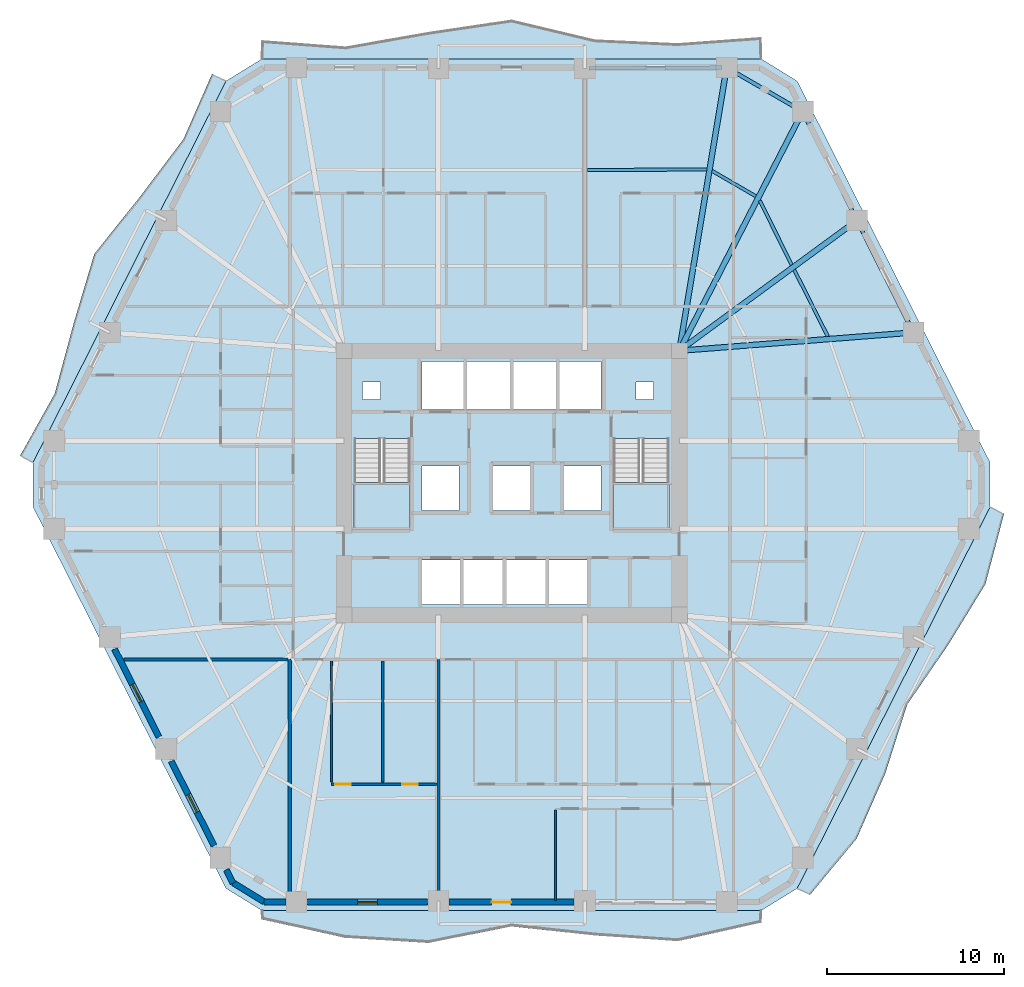
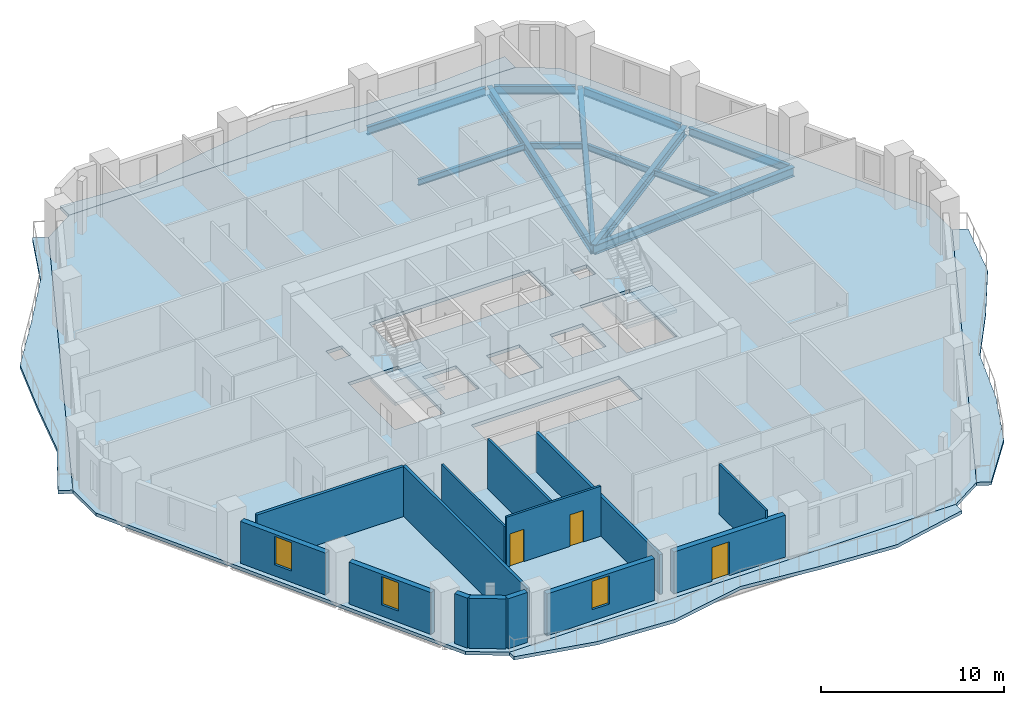
# One storey, part 3 of 12: 14 walls, 12 beams, 7 slabs, 3 doors, 3 windows, 6 openings, 2 elements without a shape of their own.
"""IFC4 building model written with IfcOpenShell, lengths in metres."""

import ifcopenshell
import ifcopenshell.guid

model = None  # the IFC model being written
_history = None  # IfcOwnerHistory: only IFC2X3 demands one
_inside = {}  # id of a spatial element -> (the spatial element, [elements in it])
_under = {}  # id of a project, library or spatial element -> (it, [spatial elements below it])
_declared = {}  # id of a project -> (the project, [libraries it declares])
_typed = {}  # id of a type object -> (the type object, [elements of that type])
_made_of = {}  # id of a material, layer set ... -> (it, [elements and type objects made of it])


def new_model(schema):
    """Start an empty IFC model of exactly this schema.

    Asked for "IFC4X3", IfcOpenShell would pick the latest addendum, in which some entities
    have other attributes; the version numbers below select the first issue.
    IFC2X3 requires an IfcOwnerHistory on every rooted entity: one is made here for all.
    """
    global model, _history
    if schema == "IFC4X3":
        model = ifcopenshell.file(schema_version=(4, 3, 0, 0))
    else:
        model = ifcopenshell.file(schema=schema)
    _inside.clear()
    _under.clear()
    _declared.clear()
    _typed.clear()
    _made_of.clear()
    _history = None
    if model.schema == "IFC2X3":
        org = make("IfcOrganization", Name="unknown")
        user = make(
            "IfcPersonAndOrganization",
            ThePerson=make("IfcPerson", FamilyName="unknown"),
            TheOrganization=org,
        )
        app = make(
            "IfcApplication",
            ApplicationDeveloper=org,
            Version="unknown",
            ApplicationFullName="unknown",
            ApplicationIdentifier="unknown",
        )
        _history = make(
            "IfcOwnerHistory",
            OwningUser=user,
            OwningApplication=app,
            ChangeAction="ADDED",
            CreationDate=0,
        )
    return model


def make(cls, **values):
    """One entity of the class cls with the attributes given. An attribute that is None is left unset."""
    return model.create_entity(
        cls, **{name: value for name, value in values.items() if value is not None}
    )


def rooted(cls, **values):
    """An entity with a GlobalId (a new one), such as an element, a storey or a relation."""
    return make(cls, GlobalId=ifcopenshell.guid.new(), OwnerHistory=_history, **values)


def si_unit(unit_type, name, prefix=None):
    """IfcSIUnit, for example si_unit("LENGTHUNIT", "METRE", prefix="MILLI")."""
    return make("IfcSIUnit", UnitType=unit_type, Prefix=prefix, Name=name)


def assignment(units):
    """IfcUnitAssignment: the units of a project."""
    return None if units is None else make("IfcUnitAssignment", Units=units)


def point(xyz):
    """IfcCartesianPoint."""
    return None if xyz is None else make("IfcCartesianPoint", Coordinates=xyz)


def direction(xyz):
    """IfcDirection."""
    return None if xyz is None else make("IfcDirection", DirectionRatios=xyz)


def frame(location, z_axis=None, x_axis=None):
    """IfcAxis2Placement3D, a coordinate frame: its origin and axes. An axis left out is left unset."""
    return make(
        "IfcAxis2Placement3D",
        Location=point(location),
        Axis=direction(z_axis),
        RefDirection=direction(x_axis),
    )


def frame_2d(location, x_axis=None):
    """IfcAxis2Placement2D, a coordinate frame in the plane: its origin and x axis."""
    return make(
        "IfcAxis2Placement2D", Location=point(location), RefDirection=direction(x_axis)
    )


def origin():
    """The frame at (0, 0, 0) with its axes left unset."""
    return frame((0.0, 0.0, 0.0))


def origin_2d():
    """The frame at (0, 0) in the plane with its x axis left unset."""
    return frame_2d((0.0, 0.0))


def place(relative_to, where):
    """IfcLocalPlacement: puts the frame where relative to a parent placement (None: the world)."""
    return make(
        "IfcLocalPlacement", PlacementRelTo=relative_to, RelativePlacement=where
    )


def context(
    kind, dimensions, precision=None, world=None, true_north=None, identifier=None
):
    """IfcGeometricRepresentationContext, for example the 3D "Model" context."""
    return make(
        "IfcGeometricRepresentationContext",
        ContextIdentifier=identifier,
        ContextType=kind,
        CoordinateSpaceDimension=dimensions,
        Precision=precision,
        WorldCoordinateSystem=world,
        TrueNorth=true_north,
    )


def subcontext(parent, identifier, kind, view, scale=None):
    """IfcGeometricRepresentationSubContext, for example "Body" below "Model"."""
    return make(
        "IfcGeometricRepresentationSubContext",
        ContextIdentifier=identifier,
        ContextType=kind,
        ParentContext=parent,
        TargetScale=scale,
        TargetView=view,
    )


def project(units=None, contexts=None):
    """IfcProject with its units and contexts."""
    return rooted(
        "IfcProject",
        Name="project",
        RepresentationContexts=contexts,
        UnitsInContext=assignment(units),
    )


def spatial(cls, under=None, at=None, **own):
    """A site, building, storey or space (cls), placed at a placement, below another one or the project."""
    s = rooted(cls, ObjectPlacement=at, **own)
    if under is not None:
        _under.setdefault(under.id(), (under, []))[1].append(s)
    return s


def polyline(points):
    """IfcPolyline through the points."""
    return make("IfcPolyline", Points=[point(p) for p in points])


def profile(cls, at=None, kind="AREA", **sizes):
    """A parametric profile (cls). Its sizes go by their IFC names, for example OverallWidth=200.0."""
    return make(cls, ProfileType=kind, Position=at, **sizes)


def rectangle(**sizes):
    """IfcRectangleProfileDef."""
    return profile("IfcRectangleProfileDef", **sizes)


def i_section(**sizes):
    """IfcIShapeProfileDef."""
    return profile("IfcIShapeProfileDef", **sizes)


def outline(outer, holes=None, kind="AREA"):
    """IfcArbitraryClosedProfileDef: a profile drawn as a closed curve; with holes, ...WithVoids."""
    if holes is None:
        return make("IfcArbitraryClosedProfileDef", ProfileType=kind, OuterCurve=outer)
    return make(
        "IfcArbitraryProfileDefWithVoids",
        ProfileType=kind,
        OuterCurve=outer,
        InnerCurves=holes,
    )


def extrude(swept, where, along, depth):
    """IfcExtrudedAreaSolid: the profile swept, set in the frame where, extruded along a direction by depth."""
    return make(
        "IfcExtrudedAreaSolid",
        SweptArea=swept,
        Position=where,
        ExtrudedDirection=direction(along),
        Depth=depth,
    )


def shape(context_of_items, identifier, shape_type, items):
    """IfcShapeRepresentation: the items that make up one representation, for example the "Body"."""
    return make(
        "IfcShapeRepresentation",
        ContextOfItems=context_of_items,
        RepresentationIdentifier=identifier,
        RepresentationType=shape_type,
        Items=items,
    )


def material(Name=None, Category=None):
    """IfcMaterial."""
    return make("IfcMaterial", Name=Name, Category=Category)


def layer(
    of_material, thickness, ventilated=None, Name=None, Category=None, Priority=None
):
    """IfcMaterialLayer: one layer of a wall or slab, of a material (None: an air gap)."""
    return make(
        "IfcMaterialLayer",
        Material=of_material,
        LayerThickness=thickness,
        IsVentilated=ventilated,
        Name=Name,
        Category=Category,
        Priority=Priority,
    )


def layer_set(layers, Name=None):
    """IfcMaterialLayerSet."""
    return make("IfcMaterialLayerSet", MaterialLayers=layers, LayerSetName=Name)


def material_profile(
    of_material, cross_section, Name=None, Category=None, Priority=None
):
    """IfcMaterialProfile: a cross section and its material."""
    return make(
        "IfcMaterialProfile",
        Name=Name,
        Material=of_material,
        Profile=cross_section,
        Priority=Priority,
        Category=Category,
    )


def profile_set(profiles, Name=None, composite=None):
    """IfcMaterialProfileSet."""
    return make(
        "IfcMaterialProfileSet",
        Name=Name,
        MaterialProfiles=profiles,
        CompositeProfile=composite,
    )


def made_of(thing, what):
    """Note that an element or type object is made of a material, layer set ...; save() writes the relation."""
    if what is not None:
        _made_of.setdefault(what.id(), (what, []))[1].append(thing)
    return thing


def type_object(cls, material=None, **own):
    """A type object (cls), such as IfcWallType, which elements share."""
    return made_of(rooted(cls, **own), material)


def element(
    cls,
    number,
    at=None,
    inside=None,
    cuts=None,
    type_object=None,
    material=None,
    context=None,
    identifier="Body",
    shape_type=None,
    held_by="IfcProductDefinitionShape",
    body=None,
    shapes=None,
    **own,
):
    """One element of the class cls, such as IfcWall. Its Tag is "e" and its number.

    at: its placement. inside: the storey or other place that contains it. cuts: it is an
    opening in that element (IfcRelVoidsElement). A single representation is given by context,
    identifier, shape_type and body (its items); several are given by shapes. held_by: the class
    of the entity that holds the representations. save() writes the other relations.
    """
    e = rooted(cls, Tag="e%d" % number, ObjectPlacement=at, **own)
    if body is not None:
        shapes = [shape(context, identifier, shape_type, body)]
    if shapes is not None:
        e.Representation = make(held_by, Representations=shapes)
    if inside is not None:
        _inside.setdefault(inside.id(), (inside, []))[1].append(e)
    if cuts is not None:
        rooted(
            "IfcRelVoidsElement", RelatingBuildingElement=cuts, RelatedOpeningElement=e
        )
    if type_object is not None:
        _typed.setdefault(type_object.id(), (type_object, []))[1].append(e)
    return made_of(e, material)


def fill(opening, filler):
    """IfcRelFillsElement: the door or window that sits in an opening."""
    return rooted(
        "IfcRelFillsElement",
        RelatingOpeningElement=opening,
        RelatedBuildingElement=filler,
    )


def aggregate(whole, parts):
    """IfcRelAggregates: a whole, such as a stair, and the parts it consists of."""
    return rooted("IfcRelAggregates", RelatingObject=whole, RelatedObjects=parts)


def save(model, path):
    """Write the relations noted so far, then the file.

    IfcRelAggregates (storeys below a building ...), IfcRelContainedInSpatialStructure (elements
    in a storey), IfcRelDefinesByType, IfcRelAssociatesMaterial and IfcRelDeclares: one each for
    every whole, place, type object, material and project.
    """
    for whole, parts in _under.values():
        aggregate(whole, parts)
    for where, things in _inside.values():
        rooted(
            "IfcRelContainedInSpatialStructure",
            RelatedElements=things,
            RelatingStructure=where,
        )
    for kind, things in _typed.values():
        rooted("IfcRelDefinesByType", RelatedObjects=things, RelatingType=kind)
    for what, things in _made_of.values():
        rooted("IfcRelAssociatesMaterial", RelatedObjects=things, RelatingMaterial=what)
    for by, libraries in _declared.values():
        rooted("IfcRelDeclares", RelatingContext=by, RelatedDefinitions=libraries)
    model.write(path)


model = new_model("IFC4")

# Units and contexts
model_context = context("Model", 3, precision=1e-05, world=origin(), true_north=direction((0.0, 1.0)))
body_context = subcontext(model_context, "Body", "Model", "MODEL_VIEW")
ifc_project = project(units=[si_unit("LENGTHUNIT", "METRE"), si_unit("AREAUNIT", "SQUARE_METRE"), si_unit("VOLUMEUNIT", "CUBIC_METRE"), si_unit("PLANEANGLEUNIT", "RADIAN"), si_unit("MASSUNIT", "GRAM", prefix="KILO")], contexts=[model_context])

# Site, building, storey
site_placement = place(None, origin())
site = spatial("IfcSite", under=ifc_project, at=site_placement, CompositionType="ELEMENT")
building_placement = place(site_placement, origin())
building = spatial("IfcBuilding", under=site, at=building_placement, Name="Cinnabar Lancet Tower", CompositionType="ELEMENT")
storey_placement = place(building_placement, frame((0.0, 0.0, 32.0)))
storey = spatial("IfcBuildingStorey", under=building, at=storey_placement, Name="L07", CompositionType="ELEMENT", Elevation=32.0)

# Beams
ifc_material_1 = material(Name="Structural steel S355", Category="steel")
ifc_material_profile_1 = material_profile(ifc_material_1, i_section(OverallWidth=0.177978515625, OverallDepth=0.406494140625, WebThickness=0.0078125, FlangeThickness=0.0126953125, FilletRadius=0.01025390625, at=origin_2d()), Name="UKB 406x178x60")
ifc_profile_set_1 = profile_set([ifc_material_profile_1], Name="Structural steel S355")
beam_type_1 = type_object("IfcBeamType", Name="STR-BM-JST-406", PredefinedType="JOIST", material=ifc_profile_set_1)
beam_1_placement = place(storey_placement, frame((50.220947265625, 34.156982421875, -0.423095703125), z_axis=(-0.450834254961, 0.89260768233, 0.0), x_axis=(-0.89260768233, -0.450834254961, 0.0)))
element("IfcBeam", 1, at=beam_1_placement, inside=storey, type_object=beam_type_1, Name="L07 Secondary Floor Joist 27", PredefinedType="JOIST", context=body_context, shape_type="SweptSolid", body=[
    extrude(i_section(OverallWidth=0.177978515625, OverallDepth=0.406494140625, WebThickness=0.0078125, FlangeThickness=0.0126953125, FilletRadius=0.01025390625, at=origin_2d()), origin(), (0.0, 0.0, 1.0), 4.203369140625),
])
beam_2_placement = place(storey_placement, frame((48.18603515625, 38.18798828125, -0.423095703125), z_axis=(-0.445738672706, 0.895163133543, 0.0), x_axis=(-0.895163133543, -0.445738672706, 0.0)))
element("IfcBeam", 2, at=beam_2_placement, inside=storey, type_object=beam_type_1, Name="L07 Secondary Floor Joist 29", PredefinedType="JOIST", context=body_context, shape_type="SweptSolid", body=[
    extrude(i_section(OverallWidth=0.177978515625, OverallDepth=0.406494140625, WebThickness=0.0078125, FlangeThickness=0.0126953125, FilletRadius=0.01025390625, at=origin_2d()), origin(), (0.0, 0.0, 1.0), 4.04052734375),
])
beam_3_placement = place(storey_placement, frame((46.1669921875, 42.052001953125, -0.423095703125), z_axis=(-0.865113631149, 0.50157592167, 0.0), x_axis=(-0.50157592167, -0.865113631149, 0.0)))
element("IfcBeam", 3, at=beam_3_placement, inside=storey, type_object=beam_type_1, Name="L07 Secondary Floor Joist 31", PredefinedType="JOIST", context=body_context, shape_type="SweptSolid", body=[
    extrude(i_section(OverallWidth=0.177978515625, OverallDepth=0.406494140625, WebThickness=0.0078125, FlangeThickness=0.0126953125, FilletRadius=0.01025390625, at=origin_2d()), origin(), (0.0, 0.0, 1.0), 2.852783203125),
])
beam_4_placement = place(storey_placement, frame((43.40087890625, 43.56396484375, -0.423095703125), z_axis=(-0.999988691118, -0.004755800274, 0.0), x_axis=(0.004755800274, -0.999988691118, 0.0)))
element("IfcBeam", 4, at=beam_4_placement, inside=storey, type_object=beam_type_1, Name="L07 Secondary Floor Joist 33", PredefinedType="JOIST", context=body_context, shape_type="SweptSolid", body=[
    extrude(i_section(OverallWidth=0.177978515625, OverallDepth=0.406494140625, WebThickness=0.0078125, FlangeThickness=0.0126953125, FilletRadius=0.01025390625, at=origin_2d()), origin(), (0.0, 0.0, 1.0), 6.724853515625),
])
ifc_material_2 = material(Name="Structural steel S355", Category="steel")
ifc_material_profile_2 = material_profile(ifc_material_2, i_section(OverallWidth=0.209228515625, OverallDepth=0.533203125, WebThickness=0.010009765625, FlangeThickness=0.015625, FilletRadius=0.0126953125, at=origin_2d()), Name="UKB 533x210x92")
ifc_profile_set_2 = profile_set([ifc_material_profile_2], Name="Structural steel S355")
beam_type_2 = type_object("IfcBeamType", Name="STR-BM-SPN-533", PredefinedType="SPANDREL", material=ifc_profile_set_2)
beam_5_placement = place(storey_placement, frame((54.93310546875, 34.60302734375, -0.487060546875), z_axis=(-0.450703143926, 0.892673891214, 0.0), x_axis=(-0.892673891214, -0.450703143926, 0.0)))
element("IfcBeam", 5, at=beam_5_placement, inside=storey, type_object=beam_type_2, Name="L07 Perimeter Spandrel 10", PredefinedType="SPANDREL", context=body_context, shape_type="SweptSolid", body=[
    extrude(i_section(OverallWidth=0.209228515625, OverallDepth=0.533203125, WebThickness=0.010009765625, FlangeThickness=0.015625, FilletRadius=0.0126953125, at=origin_2d()), origin(), (0.0, 0.0, 1.0), 6.570068359375),
])
beam_6_placement = place(storey_placement, frame((51.748046875, 40.9150390625, -0.487060546875), z_axis=(-0.445953050023, 0.89505635419, 0.0), x_axis=(-0.89505635419, -0.445953050023, 0.0)))
element("IfcBeam", 6, at=beam_6_placement, inside=storey, type_object=beam_type_2, Name="L07 Perimeter Spandrel 11", PredefinedType="SPANDREL", context=body_context, shape_type="SweptSolid", body=[
    extrude(i_section(OverallWidth=0.209228515625, OverallDepth=0.533203125, WebThickness=0.010009765625, FlangeThickness=0.015625, FilletRadius=0.0126953125, at=origin_2d()), origin(), (0.0, 0.0, 1.0), 6.35498046875),
])
beam_7_placement = place(storey_placement, frame((48.5869140625, 46.951904296875, -0.487060546875), z_axis=(-0.865147238596, 0.501517951374, 0.0), x_axis=(-0.501517951374, -0.865147238596, 0.0)))
element("IfcBeam", 7, at=beam_7_placement, inside=storey, type_object=beam_type_2, Name="L07 Perimeter Spandrel 12", PredefinedType="SPANDREL", context=body_context, shape_type="SweptSolid", body=[
    extrude(i_section(OverallWidth=0.209228515625, OverallDepth=0.533203125, WebThickness=0.010009765625, FlangeThickness=0.015625, FilletRadius=0.0126953125, at=origin_2d()), origin(), (0.0, 0.0, 1.0), 4.454833984375),
])
beam_8_placement = place(storey_placement, frame((44.26708984375, 49.30908203125, -0.487060546875), z_axis=(-0.99997856757, -0.006547090947, 0.0), x_axis=(0.006547090947, -0.99997856757, 0.0)))
element("IfcBeam", 8, at=beam_8_placement, inside=storey, type_object=beam_type_2, Name="L07 Perimeter Spandrel 13", PredefinedType="SPANDREL", context=body_context, shape_type="SweptSolid", body=[
    extrude(i_section(OverallWidth=0.209228515625, OverallDepth=0.533203125, WebThickness=0.010009765625, FlangeThickness=0.015625, FilletRadius=0.0126953125, at=origin_2d()), origin(), (0.0, 0.0, 1.0), 7.495361328125),
])
ifc_material_3 = material(Name="Structural steel S355", Category="steel")
ifc_material_profile_3 = material_profile(ifc_material_3, i_section(OverallWidth=0.30712890625, OverallDepth=0.6201171875, WebThickness=0.01416015625, FlangeThickness=0.023681640625, FilletRadius=0.0166015625, at=origin_2d()), Name="UKB 610x305x179")
ifc_profile_set_3 = profile_set([ifc_material_profile_3], Name="Structural steel S355")
beam_type_3 = type_object("IfcBeamType", Name="STR-BM-UKB610-179", PredefinedType="BEAM", material=ifc_profile_set_3)
beam_9_placement = place(storey_placement, frame((51.85888671875, 40.69091796875, -0.530029296875), z_axis=(-0.80636497312, -0.591418236213, 0.0), x_axis=(0.591418236213, -0.80636497312, 0.0)))
element("IfcBeam", 9, at=beam_9_placement, inside=storey, type_object=beam_type_3, Name="L07 Corner Collector Girder 3", PredefinedType="BEAM", context=body_context, shape_type="SweptSolid", body=[
    extrude(i_section(OverallWidth=0.30712890625, OverallDepth=0.6201171875, WebThickness=0.01416015625, FlangeThickness=0.023681640625, FilletRadius=0.0166015625, at=origin_2d()), origin(), (0.0, 0.0, 1.0), 12.412353515625),
])
beam_10_placement = place(storey_placement, frame((55.0458984375, 34.3798828125, -0.530029296875), z_axis=(-0.99696880683, -0.077802302076, 0.0), x_axis=(0.077802302076, -0.99696880683, 0.0)))
element("IfcBeam", 10, at=beam_10_placement, inside=storey, type_object=beam_type_3, Name="L07 Primary Floor Girder 10", PredefinedType="BEAM", context=body_context, shape_type="SweptSolid", body=[
    extrude(i_section(OverallWidth=0.30712890625, OverallDepth=0.6201171875, WebThickness=0.01416015625, FlangeThickness=0.023681640625, FilletRadius=0.0166015625, at=origin_2d()), origin(), (0.0, 0.0, 1.0), 13.23583984375),
])
beam_11_placement = place(storey_placement, frame((48.802978515625, 46.826904296875, -0.530029296875), z_axis=(-0.458492410387, -0.888698323177, 0.0), x_axis=(0.888698323177, -0.458492410387, 0.0)))
element("IfcBeam", 11, at=beam_11_placement, inside=storey, type_object=beam_type_3, Name="L07 Primary Floor Girder 12", PredefinedType="BEAM", context=body_context, shape_type="SweptSolid", body=[
    extrude(i_section(OverallWidth=0.30712890625, OverallDepth=0.6201171875, WebThickness=0.01416015625, FlangeThickness=0.023681640625, FilletRadius=0.0166015625, at=origin_2d()), origin(), (0.0, 0.0, 1.0), 15.16455078125),
])
beam_12_placement = place(storey_placement, frame((44.51708984375, 49.31103515625, -0.530029296875), z_axis=(-0.164809990854, -0.986325335229, 0.0), x_axis=(0.986325335229, -0.164809990854, 0.0)))
element("IfcBeam", 12, at=beam_12_placement, inside=storey, type_object=beam_type_3, Name="L07 Primary Floor Girder 13", PredefinedType="BEAM", context=body_context, shape_type="SweptSolid", body=[
    extrude(i_section(OverallWidth=0.30712890625, OverallDepth=0.6201171875, WebThickness=0.01416015625, FlangeThickness=0.023681640625, FilletRadius=0.0166015625, at=origin_2d()), origin(), (0.0, 0.0, 1.0), 16.18212890625),
])

# Stair, slab
ifc_material_4 = material(Name="Concrete C40/50", Category="concrete")
stair_type = type_object("IfcStairType", Name="ST-CORE", PredefinedType="HALF_TURN_STAIR", material=ifc_material_4)
stair_1_placement = place(storey_placement, origin())
stair_1 = element("IfcStair", 13, at=stair_1_placement, inside=storey, type_object=stair_type, Name="L07 ST-1", PredefinedType="HALF_TURN_STAIR")
ifc_material_5 = material(Name="Concrete C40/50", Category="concrete")
ifc_layer_1 = layer(ifc_material_5, 0.199951171875)
ifc_layer_set_1 = layer_set([ifc_layer_1], Name="Concrete C40/50")
slab_type_1 = type_object("IfcSlabType", Name="LANDING-CORE", PredefinedType="LANDING", material=ifc_layer_set_1)
slab_1_placement = place(storey_placement, frame((0.0, 0.0, 1.574951171875)))
slab_1 = element("IfcSlab", 14, at=slab_1_placement, type_object=slab_type_1, Name="ST-1 landing 1", PredefinedType="LANDING", context=body_context, shape_type="SweptSolid", body=[
    extrude(outline(polyline([(23.52490234375, 25.925048828125), (23.52490234375, 23.25), (26.675048828125, 23.25), (26.675048828125, 25.925048828125), (23.52490234375, 25.925048828125)])), origin(), (0.0, 0.0, 1.0), 0.199951171875),
])
aggregate(stair_1, [slab_1])

stair_2_placement = place(storey_placement, origin())
stair_2 = element("IfcStair", 15, at=stair_2_placement, inside=storey, type_object=stair_type, Name="L07 ST-2", PredefinedType="HALF_TURN_STAIR")
slab_2_placement = place(storey_placement, frame((0.0, 0.0, 1.574951171875)))
slab_2 = element("IfcSlab", 16, at=slab_2_placement, type_object=slab_type_1, Name="ST-2 landing 1", PredefinedType="LANDING", context=body_context, shape_type="SweptSolid", body=[
    extrude(outline(polyline([(38.125, 25.925048828125), (38.125, 23.25), (41.27490234375, 23.25), (41.27490234375, 25.925048828125), (38.125, 25.925048828125)])), origin(), (0.0, 0.0, 1.0), 0.199951171875),
])
aggregate(stair_2, [slab_2])

# Slabs
ifc_material_6 = material(Name="Concrete C40/50", Category="concrete")
ifc_layer_2 = layer(ifc_material_6, 0.219970703125)
ifc_layer_set_2 = layer_set([ifc_layer_2], Name="Concrete C40/50")
slab_type_2 = type_object("IfcSlabType", Name="STR-SLB-FLR-220", PredefinedType="FLOOR", material=ifc_layer_set_2)
slab_3_placement = place(storey_placement, frame((0.0, 0.0, -0.219970703125)))
element("IfcSlab", 17, at=slab_3_placement, inside=storey, type_object=slab_type_2, Name="L07 Structural Floor Slab", PredefinedType="FLOOR", context=body_context, shape_type="SweptSolid", body=[
    extrude(outline(polyline([(16.31201171875, 3.049072265625), (18.343994140625, 1.800048828125), (46.4560546875, 1.800048828125), (48.488037109375, 3.049072265625), (59.367919921875, 24.551025390625), (59.367919921875, 27.049072265625), (48.488037109375, 48.551025390625), (46.4560546875, 49.800048828125), (18.343994140625, 49.800048828125), (16.31201171875, 48.551025390625), (5.431884765625, 27.049072265625), (5.431884765625, 24.551025390625), (16.31201171875, 3.049072265625)]), holes=[polyline([(23.52490234375, 23.25), (26.675048828125, 23.25), (26.675048828125, 28.3994140625), (23.52490234375, 28.3994140625), (23.52490234375, 23.25)]), polyline([(38.125, 23.25), (41.27490234375, 23.25), (41.27490234375, 28.3994140625), (38.125, 28.3994140625), (38.125, 23.25)]), polyline([(27.35009765625, 30.050048828125), (37.449951171875, 30.050048828125), (37.449951171875, 32.75), (27.35009765625, 32.75), (27.35009765625, 30.050048828125)]), polyline([(27.35009765625, 19.050048828125), (36.64990234375, 19.050048828125), (36.64990234375, 21.550048828125), (27.35009765625, 21.550048828125), (27.35009765625, 19.050048828125)]), polyline([(27.35009765625, 24.35009765625), (29.449951171875, 24.35009765625), (29.449951171875, 26.85009765625), (27.35009765625, 26.85009765625), (27.35009765625, 24.35009765625)]), polyline([(35.35009765625, 24.35009765625), (37.449951171875, 24.35009765625), (37.449951171875, 26.85009765625), (35.35009765625, 26.85009765625), (35.35009765625, 24.35009765625)]), polyline([(31.35009765625, 24.35009765625), (33.449951171875, 24.35009765625), (33.449951171875, 26.85009765625), (31.35009765625, 26.85009765625), (31.35009765625, 24.35009765625)]), polyline([(24.0, 30.60009765625), (25.0, 30.60009765625), (25.0, 31.60009765625), (24.0, 31.60009765625), (24.0, 30.60009765625)]), polyline([(39.39990234375, 30.60009765625), (40.39990234375, 30.60009765625), (40.39990234375, 31.60009765625), (39.39990234375, 31.60009765625), (39.39990234375, 30.60009765625)])]), origin(), (0.0, 0.0, 1.0), 0.219970703125),
])
ifc_material_7 = material(Name="Concrete C45/55", Category="concrete")
ifc_layer_3 = layer(ifc_material_7, 0.219970703125)
ifc_layer_set_3 = layer_set([ifc_layer_3], Name="Concrete C45/55")
slab_type_3 = type_object("IfcSlabType", Name="STR-SLB-WAV-220", PredefinedType="FLOOR", material=ifc_layer_set_3)
slab_4_placement = place(storey_placement, frame((0.0, 0.0, -0.219970703125)))
element("IfcSlab", 18, at=slab_4_placement, inside=storey, type_object=slab_type_3, Name="L07 Face 1 Undulating Wave Balcony Slab", PredefinedType="FLOOR", context=body_context, shape_type="SweptSolid", body=[
    extrude(outline(polyline([(18.343994140625, 1.800048828125), (18.343994140625, 1.300048828125), (23.029052734375, 0.26904296875), (27.715087890625, -0.01904296875), (32.39990234375, 0.909912109375), (37.0849609375, 0.403076171875), (41.77099609375, 0.083984375), (46.4560546875, 1.123046875), (46.4560546875, 1.800048828125), (18.343994140625, 1.800048828125)])), origin(), (0.0, 0.0, 1.0), 0.219970703125),
])
slab_5_placement = place(storey_placement, frame((0.0, 0.0, -0.219970703125)))
element("IfcSlab", 19, at=slab_5_placement, inside=storey, type_object=slab_type_3, Name="L07 Face 2 Undulating Wave Balcony Slab", PredefinedType="FLOOR", context=body_context, shape_type="SweptSolid", body=[
    extrude(outline(polyline([(48.488037109375, 3.049072265625), (49.2080078125, 2.68505859375), (51.839111328125, 5.85400390625), (53.4580078125, 9.537109375), (54.68896484375, 13.4150390625), (56.986083984375, 16.75390625), (59.093994140625, 20.18896484375), (60.14599609375, 24.157958984375), (59.367919921875, 24.551025390625), (48.488037109375, 3.049072265625)])), origin(), (0.0, 0.0, 1.0), 0.219970703125),
])
slab_6_placement = place(storey_placement, frame((0.0, 0.0, -0.219970703125)))
element("IfcSlab", 20, at=slab_6_placement, inside=storey, type_object=slab_type_3, Name="L07 Face 4 Undulating Wave Balcony Slab", PredefinedType="FLOOR", context=body_context, shape_type="SweptSolid", body=[
    extrude(outline(polyline([(46.4560546875, 49.800048828125), (46.4560546875, 50.991943359375), (41.77099609375, 50.654052734375), (37.0849609375, 50.873046875), (32.39990234375, 51.987060546875), (27.715087890625, 51.294921875), (23.029052734375, 50.468994140625), (18.343994140625, 50.81494140625), (18.343994140625, 49.800048828125), (46.4560546875, 49.800048828125)])), origin(), (0.0, 0.0, 1.0), 0.219970703125),
])
slab_7_placement = place(storey_placement, frame((0.0, 0.0, -0.219970703125)))
element("IfcSlab", 21, at=slab_7_placement, inside=storey, type_object=slab_type_3, Name="L07 Face 5 Undulating Wave Balcony Slab", PredefinedType="FLOOR", context=body_context, shape_type="SweptSolid", body=[
    extrude(outline(polyline([(16.31201171875, 48.551025390625), (15.52197265625, 48.950927734375), (13.908935546875, 45.26611328125), (11.447998046875, 42.010009765625), (8.886962890625, 38.804931640625), (7.722900390625, 34.89208984375), (6.656005859375, 30.930908203125), (4.698974609375, 27.419921875), (5.431884765625, 27.049072265625), (16.31201171875, 48.551025390625)])), origin(), (0.0, 0.0, 1.0), 0.219970703125),
])

# Walls
ifc_material_8 = material(Name="Fire-rated twin-frame acoustic drywall", Category="gypsum")
ifc_layer_4 = layer(ifc_material_8, 0.179931640625)
ifc_layer_set_4 = layer_set([ifc_layer_4], Name="Fire-rated twin-frame acoustic drywall")
wall_type_1 = type_object("IfcWallType", Name="ARC-WL-PARTY-180", PredefinedType="PARTITIONING", material=ifc_layer_set_4)
wall_1_placement = place(storey_placement, frame((19.89990234375, 2.455078125, 0.0), z_axis=(0.0, 0.0, 1.0), x_axis=(0.0, 1.0, 0.0)))
element("IfcWall", 22, at=wall_1_placement, inside=storey, type_object=wall_type_1, Name="PW-L07-SPTY-199", PredefinedType="PARTITIONING", context=body_context, shape_type="SweptSolid", body=[
    extrude(rectangle(XDim=13.494873046875, YDim=0.179931640625, at=frame_2d((6.74755859375, 0.0))), origin(), (0.0, 0.0, 1.0), 3.330078125),
])
wall_2_placement = place(storey_placement, frame((28.278076171875, 2.455078125, 0.0), z_axis=(0.0, 0.0, 1.0), x_axis=(0.0, 1.0, 0.0)))
element("IfcWall", 23, at=wall_2_placement, inside=storey, type_object=wall_type_1, Name="PW-L07-SPTY-283", PredefinedType="PARTITIONING", context=body_context, shape_type="SweptSolid", body=[
    extrude(rectangle(XDim=13.494873046875, YDim=0.179931640625, at=frame_2d((6.74755859375, 0.0))), origin(), (0.0, 0.0, 1.0), 2.635986328125),
])
wall_3_placement = place(storey_placement, frame((10.56396484375, 15.949951171875, 0.0), z_axis=(0.0, 0.0, 1.0), x_axis=(1.0, 0.0, 0.0)))
element("IfcWall", 24, at=wall_3_placement, inside=storey, type_object=wall_type_1, Name="PW-L07-WSB", PredefinedType="PARTITIONING", context=body_context, shape_type="SweptSolid", body=[
    extrude(rectangle(XDim=9.240966796875, YDim=0.179931640625, at=frame_2d((4.62060546875, 0.0))), origin(), (0.0, 0.0, 1.0), 3.330078125),
])
ifc_material_9 = material(Name="Gypsum plasterboard stud partition", Category="gypsum")
ifc_layer_5 = layer(ifc_material_9, 0.125)
ifc_layer_set_5 = layer_set([ifc_layer_5], Name="Gypsum plasterboard stud partition")
wall_type_2 = type_object("IfcWallType", Name="ARC-WL-UNIT-125", PredefinedType="PARTITIONING", material=ifc_layer_set_5)
wall_4_placement = place(storey_placement, frame((22.25, 9.0380859375, 0.0), z_axis=(0.0, 0.0, 1.0), x_axis=(0.0, 1.0, 0.0)))
element("IfcWall", 25, at=wall_4_placement, inside=storey, type_object=wall_type_2, Name="UW-L07-S01-FOYE", PredefinedType="PARTITIONING", context=body_context, shape_type="SweptSolid", body=[
    extrude(rectangle(XDim=6.826904296875, YDim=0.125, at=frame_2d((3.41357421875, 0.0))), origin(), (0.0, 0.0, 1.0), 2.635986328125),
])
wall_5_placement = place(storey_placement, frame((34.8779296875, 2.364990234375, 0.0), z_axis=(0.0, 0.0, 1.0), x_axis=(0.0, 1.0, 0.0)))
element("IfcWall", 26, at=wall_5_placement, inside=storey, type_object=wall_type_2, Name="UW-L07-S02-BD2W", PredefinedType="PARTITIONING", context=body_context, shape_type="SweptSolid", body=[
    extrude(rectangle(XDim=5.10302734375, YDim=0.125, at=frame_2d((2.551513671875, 0.0))), origin(), (0.0, 0.0, 1.0), 3.330078125),
])

# Wall, openings, doors
ifc_material_10 = material(Name="Moisture-resistant cement-board plumbing wall", Category="masonry")
ifc_layer_6 = layer(ifc_material_10, 0.139892578125)
ifc_layer_set_6 = layer_set([ifc_layer_6], Name="Moisture-resistant cement-board plumbing wall")
wall_type_3 = type_object("IfcWallType", Name="ARC-WL-WET-140", PredefinedType="PLUMBINGWALL", material=ifc_layer_set_6)
wall_6_placement = place(storey_placement, frame((22.25, 8.93310546875, 0.0), z_axis=(0.0, 0.0, 1.0), x_axis=(1.0, 0.0, 0.0)))
wall_6 = element("IfcWall", 27, at=wall_6_placement, inside=storey, type_object=wall_type_3, Name="UW-L07-S01-SPL", PredefinedType="PLUMBINGWALL", context=body_context, shape_type="SweptSolid", body=[
    extrude(rectangle(XDim=5.93310546875, YDim=0.139892578125, at=frame_2d((2.966552734375, 0.0))), origin(), (0.0, 0.0, 1.0), 3.330078125),
])
opening_1_placement = place(wall_6_placement, frame((3.988037109375, 0.0, 0.0)))
opening_1 = element("IfcOpeningElement", 28, at=opening_1_placement, cuts=wall_6, Name="Opening BD-01", PredefinedType="OPENING", context=body_context, shape_type="SweptSolid", body=[
    extrude(rectangle(XDim=0.860107421875, YDim=2.10009765625, at=frame_2d((0.43017578125, 1.050048828125))), frame((0.0, 0.079833984375, 0.0), z_axis=(0.0, -1.0, 0.0), x_axis=(1.0, 0.0, 0.0)), (0.0, 0.0, 1.0), 0.159912109375),
])
opening_2_placement = place(wall_6_placement, frame((0.219970703125, 0.0, 0.0)))
opening_2 = element("IfcOpeningElement", 29, at=opening_2_placement, cuts=wall_6, Name="Opening RD-02", PredefinedType="OPENING", context=body_context, shape_type="SweptSolid", body=[
    extrude(rectangle(XDim=0.8798828125, YDim=2.14990234375, at=frame_2d((0.43994140625, 1.074951171875))), frame((0.0, 0.079833984375, 0.0), z_axis=(0.0, -1.0, 0.0), x_axis=(1.0, 0.0, 0.0)), (0.0, 0.0, 1.0), 0.159912109375),
])
ifc_material_11 = material(Name="Moisture-resistant timber bathroom door", Category="wood")
door_type_1 = type_object("IfcDoorType", Name="ARC-DR-BATH", OperationType="NOTDEFINED", PredefinedType="DOOR", material=ifc_material_11)
door_1_placement = place(opening_1_placement, origin())
door_1 = element("IfcDoor", 30, at=door_1_placement, inside=storey, type_object=door_type_1, Name="DR-L07-S01-BTH", OperationType="SINGLE_SWING_RIGHT", OverallHeight=2.10009765625, OverallWidth=0.860107421875, PredefinedType="DOOR", context=body_context, shape_type="SweptSolid", body=[
    extrude(rectangle(XDim=0.860107421875, YDim=2.10009765625, at=frame_2d((0.43017578125, 1.050048828125))), frame((0.0, 0.02490234375, 0.0), z_axis=(0.0, -1.0, 0.0), x_axis=(1.0, 0.0, 0.0)), (0.0, 0.0, 1.0), 0.050048828125),
])
fill(opening_1, door_1)
ifc_material_12 = material(Name="Engineered timber study door", Category="wood")
door_type_2 = type_object("IfcDoorType", Name="ARC-DR-STUDY", OperationType="NOTDEFINED", PredefinedType="DOOR", material=ifc_material_12)
door_2_placement = place(opening_2_placement, origin())
door_2 = element("IfcDoor", 31, at=door_2_placement, inside=storey, type_object=door_type_2, Name="DR-L07-S01-KIT", OperationType="SINGLE_SWING_LEFT", OverallHeight=2.14990234375, OverallWidth=0.8798828125, PredefinedType="DOOR", context=body_context, shape_type="SweptSolid", body=[
    extrude(rectangle(XDim=0.8798828125, YDim=2.14990234375, at=frame_2d((0.43994140625, 1.074951171875))), frame((0.0, 0.02490234375, 0.0), z_axis=(0.0, -1.0, 0.0), x_axis=(1.0, 0.0, 0.0)), (0.0, 0.0, 1.0), 0.050048828125),
])
fill(opening_2, door_2)

# Walls
wall_7_placement = place(storey_placement, frame((25.14306640625, 9.0380859375, 0.0), z_axis=(0.0, 0.0, 1.0), x_axis=(0.0, 1.0, 0.0)))
element("IfcWall", 32, at=wall_7_placement, inside=storey, type_object=wall_type_3, Name="UW-L07-S01-KDV", PredefinedType="PLUMBINGWALL", context=body_context, shape_type="SweptSolid", body=[
    extrude(rectangle(XDim=6.826904296875, YDim=0.139892578125, at=frame_2d((3.41357421875, 0.0))), origin(), (0.0, 0.0, 1.0), 3.330078125),
])
ifc_material_13 = material(Name="Cinnabar red clay brick", Category="masonry")
ifc_layer_7 = layer(ifc_material_13, 0.340087890625)
ifc_layer_set_7 = layer_set([ifc_layer_7], Name="Cinnabar red clay brick")
wall_type_4 = type_object("IfcWallType", Name="ENV-WL-BRK-RED-340", PredefinedType="STANDARD", material=ifc_layer_set_7)
wall_8_placement = place(storey_placement, frame((16.719970703125, 3.362060546875, 0.0), z_axis=(0.0, 0.0, 1.0), x_axis=(0.851816122478, -0.523840904748, 0.0)))
element("IfcWall", 33, at=wall_8_placement, inside=storey, type_object=wall_type_4, Name="L07 Chamfered Corner Brick Pier 1.1", PredefinedType="STANDARD", context=body_context, shape_type="SweptSolid", body=[
    extrude(rectangle(XDim=2.01806640625, YDim=0.340087890625, at=frame_2d((1.009033203125, 0.0))), origin(), (0.0, 0.0, 1.0), 3.330078125),
])
wall_9_placement = place(storey_placement, frame((18.43408203125, 2.280029296875, 0.0), z_axis=(0.0, 0.0, 1.0), x_axis=(1.0, 0.0, 0.0)))
element("IfcWall", 34, at=wall_9_placement, inside=storey, type_object=wall_type_4, Name="L07 Face 1 Masonry Bay Wall 1", PredefinedType="STANDARD", context=body_context, shape_type="SweptSolid", body=[
    extrude(rectangle(XDim=1.244873046875, YDim=0.340087890625, at=frame_2d((0.62255859375, 0.0))), origin(), (0.0, 0.0, 1.0), 3.330078125),
])

# Wall, opening, window
wall_10_placement = place(storey_placement, frame((20.886962890625, 2.280029296875, 0.0), z_axis=(0.0, 0.0, 1.0), x_axis=(1.0, 0.0, 0.0)))
wall_10 = element("IfcWall", 35, at=wall_10_placement, inside=storey, type_object=wall_type_4, Name="L07 Face 1 Masonry Bay Wall 2", PredefinedType="STANDARD", context=body_context, shape_type="SweptSolid", body=[
    extrude(rectangle(XDim=6.787109375, YDim=0.340087890625, at=frame_2d((3.3935546875, 0.0))), origin(), (0.0, 0.0, 1.0), 2.787109375),
])
opening_3_placement = place(wall_10_placement, frame((2.843017578125, 0.0, 0.75)))
opening_3 = element("IfcOpeningElement", 36, at=opening_3_placement, cuts=wall_10, Name="Opening WN-04", PredefinedType="OPENING", context=body_context, shape_type="SweptSolid", body=[
    extrude(rectangle(XDim=1.10009765625, YDim=1.886962890625, at=frame_2d((0.550048828125, 0.943359375))), frame((0.0, 0.179931640625, 0.0), z_axis=(0.0, -1.0, 0.0), x_axis=(1.0, 0.0, 0.0)), (0.0, 0.0, 1.0), 0.360107421875),
])
ifc_material_14 = material(Name="Thermally broken bronze-anodized aluminium tall lancet window", Category="aluminium")
window_type = type_object("IfcWindowType", Name="ENV-WN-LANCET-1100", PartitioningType="SINGLE_PANEL", PredefinedType="WINDOW", material=ifc_material_14)
window_1_placement = place(opening_3_placement, origin())
window_1 = element("IfcWindow", 37, at=window_1_placement, inside=storey, type_object=window_type, Name="L07 Face 1 Gothic Lancet Window 2", OverallHeight=1.886962890625, OverallWidth=1.10009765625, PartitioningType="SINGLE_PANEL", PredefinedType="WINDOW", context=body_context, shape_type="SweptSolid", body=[
    extrude(rectangle(XDim=1.10009765625, YDim=1.886962890625, at=frame_2d((0.550048828125, 0.943359375))), frame((0.0, 0.030029296875, 0.0), z_axis=(0.0, -1.0, 0.0), x_axis=(1.0, 0.0, 0.0)), (0.0, 0.0, 1.0), 0.06005859375),
])
fill(opening_3, window_1)

# Wall, opening, door
wall_11_placement = place(storey_placement, frame((28.882080078125, 2.280029296875, 0.0), z_axis=(0.0, 0.0, 1.0), x_axis=(1.0, 0.0, 0.0)))
wall_11 = element("IfcWall", 38, at=wall_11_placement, inside=storey, type_object=wall_type_4, Name="L07 Face 1 Masonry Bay Wall 3", PredefinedType="STANDARD", context=body_context, shape_type="SweptSolid", body=[
    extrude(rectangle(XDim=7.035888671875, YDim=0.340087890625, at=frame_2d((3.51806640625, 0.0))), origin(), (0.0, 0.0, 1.0), 2.787109375),
])
opening_4_placement = place(wall_11_placement, frame((2.39697265625, 0.0, 0.0)))
opening_4 = element("IfcOpeningElement", 39, at=opening_4_placement, cuts=wall_11, Name="Opening TD-01", PredefinedType="OPENING", context=body_context, shape_type="SweptSolid", body=[
    extrude(rectangle(XDim=1.10009765625, YDim=2.25, at=frame_2d((0.550048828125, 1.125))), frame((0.0, 0.179931640625, 0.0), z_axis=(0.0, -1.0, 0.0), x_axis=(1.0, 0.0, 0.0)), (0.0, 0.0, 1.0), 0.360107421875),
])
ifc_material_15 = material(Name="Thermally broken low-E glazed balcony terrace door", Category="wood")
door_type_3 = type_object("IfcDoorType", Name="ARC-DR-BALC", OperationType="NOTDEFINED", PredefinedType="DOOR", material=ifc_material_15)
door_3_placement = place(opening_4_placement, origin())
door_3 = element("IfcDoor", 40, at=door_3_placement, inside=storey, type_object=door_type_3, Name="L07 Face 1 Glazed Terrace Door", OperationType="SINGLE_SWING_RIGHT", OverallHeight=2.25, OverallWidth=1.10009765625, PredefinedType="DOOR", context=body_context, shape_type="SweptSolid", body=[
    extrude(rectangle(XDim=1.10009765625, YDim=2.25, at=frame_2d((0.550048828125, 1.125))), frame((0.0, 0.02490234375, 0.0), z_axis=(0.0, -1.0, 0.0), x_axis=(1.0, 0.0, 0.0)), (0.0, 0.0, 1.0), 0.050048828125),
])
fill(opening_4, door_3)

# Wall, opening, window
wall_12_placement = place(storey_placement, frame((10.02392578125, 16.5390625, 0.0), z_axis=(0.0, 0.0, 1.0), x_axis=(0.451627137896, -0.892206774417, 0.0)))
wall_12 = element("IfcWall", 41, at=wall_12_placement, inside=storey, type_object=wall_type_4, Name="L07 Face 6 Masonry Bay Wall 3", PredefinedType="STANDARD", context=body_context, shape_type="SweptSolid", body=[
    extrude(rectangle(XDim=5.546875, YDim=0.340087890625, at=frame_2d((2.7734375, 0.0))), origin(), (0.0, 0.0, 1.0), 2.787109375),
])
opening_5_placement = place(wall_12_placement, frame((2.222900390625, 0.0, 0.75)))
opening_5 = element("IfcOpeningElement", 42, at=opening_5_placement, cuts=wall_12, Name="Opening WN-04", PredefinedType="OPENING", context=body_context, shape_type="SweptSolid", body=[
    extrude(rectangle(XDim=1.10009765625, YDim=1.886962890625, at=frame_2d((0.550048828125, 0.943359375))), frame((0.0, 0.179931640625, 0.0), z_axis=(0.0, -1.0, 0.0), x_axis=(1.0, 0.0, 0.0)), (0.0, 0.0, 1.0), 0.360107421875),
])
window_2_placement = place(opening_5_placement, origin())
window_2 = element("IfcWindow", 43, at=window_2_placement, inside=storey, type_object=window_type, Name="L07 Face 6 Gothic Lancet Window 3", OverallHeight=1.886962890625, OverallWidth=1.10009765625, PartitioningType="SINGLE_PANEL", PredefinedType="WINDOW", context=body_context, shape_type="SweptSolid", body=[
    extrude(rectangle(XDim=1.10009765625, YDim=1.886962890625, at=frame_2d((0.550048828125, 0.943359375))), frame((0.0, 0.030029296875, 0.0), z_axis=(0.0, -1.0, 0.0), x_axis=(1.0, 0.0, 0.0)), (0.0, 0.0, 1.0), 0.06005859375),
])
fill(opening_5, window_2)

wall_13_placement = place(storey_placement, frame((13.217041015625, 10.22802734375, 0.0), z_axis=(0.0, 0.0, 1.0), x_axis=(0.451697561555, -0.892171123095, 0.0)))
wall_13 = element("IfcWall", 44, at=wall_13_placement, inside=storey, type_object=wall_type_4, Name="L07 Face 6 Masonry Bay Wall 4", PredefinedType="STANDARD", context=body_context, shape_type="SweptSolid", body=[
    extrude(rectangle(XDim=5.350830078125, YDim=0.340087890625, at=frame_2d((2.67529296875, 0.0))), origin(), (0.0, 0.0, 1.0), 2.787109375),
])
opening_6_placement = place(wall_13_placement, frame((2.125, 0.0, 0.75)))
opening_6 = element("IfcOpeningElement", 45, at=opening_6_placement, cuts=wall_13, Name="Opening WN-04", PredefinedType="OPENING", context=body_context, shape_type="SweptSolid", body=[
    extrude(rectangle(XDim=1.10009765625, YDim=1.886962890625, at=frame_2d((0.550048828125, 0.943359375))), frame((0.0, 0.179931640625, 0.0), z_axis=(0.0, -1.0, 0.0), x_axis=(1.0, 0.0, 0.0)), (0.0, 0.0, 1.0), 0.360107421875),
])
window_3_placement = place(opening_6_placement, origin())
window_3 = element("IfcWindow", 46, at=window_3_placement, inside=storey, type_object=window_type, Name="L07 Face 6 Gothic Lancet Window 4", OverallHeight=1.886962890625, OverallWidth=1.10009765625, PartitioningType="SINGLE_PANEL", PredefinedType="WINDOW", context=body_context, shape_type="SweptSolid", body=[
    extrude(rectangle(XDim=1.10009765625, YDim=1.886962890625, at=frame_2d((0.550048828125, 0.943359375))), frame((0.0, 0.030029296875, 0.0), z_axis=(0.0, -1.0, 0.0), x_axis=(1.0, 0.0, 0.0)), (0.0, 0.0, 1.0), 0.06005859375),
])
fill(opening_6, window_3)

# Wall
wall_14_placement = place(storey_placement, frame((16.322021484375, 4.092041015625, 0.0), z_axis=(0.0, 0.0, 1.0), x_axis=(0.45187807258, -0.892079709175, 0.0)))
element("IfcWall", 47, at=wall_14_placement, inside=storey, type_object=wall_type_4, Name="L07 Face 6 Masonry Bay Wall 5", PredefinedType="STANDARD", context=body_context, shape_type="SweptSolid", body=[
    extrude(rectangle(XDim=0.83642578125, YDim=0.340087890625, at=frame_2d((0.418212890625, 0.0))), origin(), (0.0, 0.0, 1.0), 3.330078125),
])

save(model, "model.ifc")
